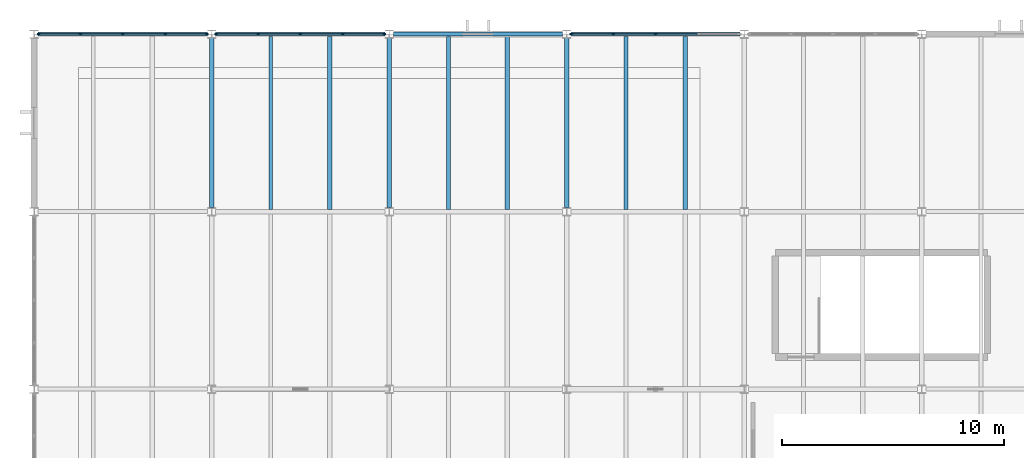
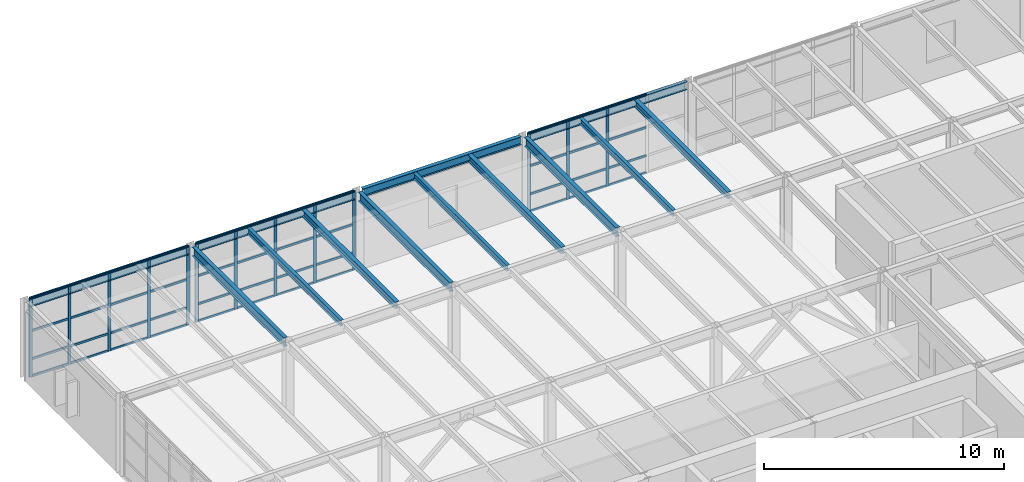
# One storey, part 14 of 34: 57 members, 13 beams, 3 elements without a shape of their own.
"""IFC4 building model written with IfcOpenShell, lengths in metres."""

from ifc_helpers import new_model, si_unit, direction, frame, origin, origin_2d, place, context, subcontext, project, spatial, rectangle, i_section, extrude, material, layer, layer_set, material_profile, profile_set, type_object, element, aggregate, save


model = new_model("IFC4")

# Units and contexts
model_context = context("Model", 3, precision=1e-05, world=origin(), true_north=direction((0.0, 1.0)))
body_context = subcontext(model_context, "Body", "Model", "MODEL_VIEW")
ifc_project = project(units=[si_unit("LENGTHUNIT", "METRE"), si_unit("AREAUNIT", "SQUARE_METRE"), si_unit("VOLUMEUNIT", "CUBIC_METRE"), si_unit("PLANEANGLEUNIT", "RADIAN"), si_unit("MASSUNIT", "GRAM", prefix="KILO")], contexts=[model_context])

# Site, building, storey
site_placement = place(None, origin())
site = spatial("IfcSite", under=ifc_project, at=site_placement, CompositionType="ELEMENT")
building_placement = place(site_placement, origin())
building = spatial("IfcBuilding", under=site, at=building_placement, Name="Varnela Railside Interchange", CompositionType="ELEMENT")
storey_placement = place(building_placement, frame((0.0, 0.0, 19.60009765625)))
storey = spatial("IfcBuildingStorey", under=building, at=storey_placement, Name="L04", CompositionType="ELEMENT", Elevation=19.60009765625)

# Beams
ifc_material_1 = material(Name="Steel AR 350 (350 MPa)", Category="steel")
ifc_material_profile_1 = material_profile(ifc_material_1, i_section(OverallWidth=0.1650390625, OverallDepth=0.31005859375, WebThickness=0.005859375, FlangeThickness=0.009765625, at=origin_2d()), Name="W310x38.7")
ifc_profile_set_1 = profile_set([ifc_material_profile_1], Name="Steel AR 350 (350 MPa)")
beam_type_1 = type_object("IfcBeamType", Name="Composite Floor Joist J-04", PredefinedType="JOIST", material=ifc_profile_set_1)
for number, where, z_axis, x_axis, name in (
    (1, (14.669921875, 86.1044921875, 3.864990234375), (0.0, 1.0, 0.0), (-1.0, 0.0, 0.0), "Composite Floor Joist J-04 (L04) (BM-2378)"),
    (2, (22.669921875, 86.1044921875, 3.864990234375), (0.0, 1.0, 0.0), (-1.0, 0.0, 0.0), "Composite Floor Joist J-04 (L04) (BM-2386)"),
    (3, (30.669921875, 86.1044921875, 3.864990234375), (0.0, 1.0, 0.0), (-1.0, 0.0, 0.0), "Composite Floor Joist J-04 (L04) (BM-2394)"),
):
    element("IfcBeam", number, at=place(storey_placement, frame(where, z_axis=z_axis, x_axis=x_axis)), inside=storey, type_object=beam_type_1, Name=name, PredefinedType="JOIST", context=body_context, shape_type="SweptSolid", body=[
        extrude(i_section(OverallWidth=0.1650390625, OverallDepth=0.31005859375, WebThickness=0.005859375, FlangeThickness=0.009765625, at=origin_2d()), origin(), (0.0, 0.0, 1.0), 7.791015625),
    ])
ifc_material_profile_2 = material_profile(ifc_material_1, i_section(OverallWidth=0.202880859375, OverallDepth=0.346923828125, WebThickness=0.0078125, FlangeThickness=0.013427734375, at=origin_2d()), Name="W360x64")
ifc_profile_set_2 = profile_set([ifc_material_profile_2], Name="Steel AR 350 (350 MPa)")
beam_type_2 = type_object("IfcBeamType", Name="Composite Heavy Joist J-01", PredefinedType="JOIST", material=ifc_profile_set_2)
for number, where, z_axis, x_axis, name in (
    (4, (17.330078125, 86.1044921875, 3.846435546875), (0.0, 1.0, 0.0), (-1.0, 0.0, 0.0), "Composite Heavy Joist J-01 (L04) (BM-2379)"),
    (5, (25.330078125, 86.1044921875, 3.846435546875), (0.0, 1.0, 0.0), (-1.0, 0.0, 0.0), "Composite Heavy Joist J-01 (L04) (BM-2387)"),
    (6, (33.330078125, 86.1044921875, 3.846435546875), (0.0, 1.0, 0.0), (-1.0, 0.0, 0.0), "Composite Heavy Joist J-01 (L04) (BM-2395)"),
):
    element("IfcBeam", number, at=place(storey_placement, frame(where, z_axis=z_axis, x_axis=x_axis)), inside=storey, type_object=beam_type_2, Name=name, PredefinedType="JOIST", context=body_context, shape_type="SweptSolid", body=[
        extrude(i_section(OverallWidth=0.202880859375, OverallDepth=0.346923828125, WebThickness=0.0078125, FlangeThickness=0.013427734375, at=origin_2d()), origin(), (0.0, 0.0, 1.0), 7.791015625),
    ])

# Curtain wall, members
ifc_material_2 = material(Name="Aluminium 6063-T6", Category="aluminium")
ifc_layer = layer(ifc_material_2, 0.035888671875)
ifc_layer_set = layer_set([ifc_layer], Name="Aluminium 6063-T6")
curtain_wall_type = type_object("IfcCurtainWallType", Name="Operations Wing Facade Curtain Wall CW-03", PredefinedType="USERDEFINED", material=ifc_layer_set)
curtain_wall_1_placement = place(storey_placement, origin())
curtain_wall_1 = element("IfcCurtainWall", 7, at=curtain_wall_1_placement, inside=storey, type_object=curtain_wall_type, Name="Curtain Wall CW-03 (L04) (CW-105)", ObjectType="CURTAIN WALL", PredefinedType="USERDEFINED")
ifc_material_profile_3 = material_profile(ifc_material_2, rectangle(XDim=0.06005859375, YDim=0.139892578125, at=origin_2d()), Name="ALU 60x140")
ifc_profile_set_3 = profile_set([ifc_material_profile_3], Name="Aluminium 6063-T6")
member_type_1 = type_object("IfcMemberType", Name="Curtain Wall Mullion ML-01", PredefinedType="MULLION", material=ifc_profile_set_3)
member_1_placement = place(storey_placement, frame((4.215087890625, 94.0, 0.0), z_axis=(0.0, 0.0, 1.0), x_axis=(0.0, 1.0, 0.0)))
member_1 = element("IfcMember", 8, at=member_1_placement, type_object=member_type_1, Name="CW-03 mullion 1", PredefinedType="MULLION", context=body_context, shape_type="SweptSolid", body=[
    extrude(rectangle(XDim=0.06005859375, YDim=0.139892578125, at=origin_2d()), origin(), (0.0, 0.0, 1.0), 4.02001953125),
])
member_2_placement = place(storey_placement, frame((6.092529296875, 94.0, 0.0), z_axis=(0.0, 0.0, 1.0), x_axis=(0.0, 1.0, 0.0)))
member_2 = element("IfcMember", 9, at=member_2_placement, type_object=member_type_1, Name="CW-03 mullion 2", PredefinedType="MULLION", context=body_context, shape_type="SweptSolid", body=[
    extrude(rectangle(XDim=0.06005859375, YDim=0.139892578125, at=origin_2d()), origin(), (0.0, 0.0, 1.0), 4.02001953125),
])
member_3_placement = place(storey_placement, frame((8.0, 94.0, 0.0), z_axis=(0.0, 0.0, 1.0), x_axis=(0.0, 1.0, 0.0)))
member_3 = element("IfcMember", 10, at=member_3_placement, type_object=member_type_1, Name="CW-03 mullion 3", PredefinedType="MULLION", context=body_context, shape_type="SweptSolid", body=[
    extrude(rectangle(XDim=0.06005859375, YDim=0.139892578125, at=origin_2d()), origin(), (0.0, 0.0, 1.0), 4.02001953125),
])
member_4_placement = place(storey_placement, frame((9.907470703125, 94.0, 0.0), z_axis=(0.0, 0.0, 1.0), x_axis=(0.0, 1.0, 0.0)))
member_4 = element("IfcMember", 11, at=member_4_placement, type_object=member_type_1, Name="CW-03 mullion 4", PredefinedType="MULLION", context=body_context, shape_type="SweptSolid", body=[
    extrude(rectangle(XDim=0.06005859375, YDim=0.139892578125, at=origin_2d()), origin(), (0.0, 0.0, 1.0), 4.02001953125),
])
member_5_placement = place(storey_placement, frame((11.784912109375, 94.0, 0.0), z_axis=(0.0, 0.0, 1.0), x_axis=(0.0, 1.0, 0.0)))
member_5 = element("IfcMember", 12, at=member_5_placement, type_object=member_type_1, Name="CW-03 mullion 5", PredefinedType="MULLION", context=body_context, shape_type="SweptSolid", body=[
    extrude(rectangle(XDim=0.06005859375, YDim=0.139892578125, at=origin_2d()), origin(), (0.0, 0.0, 1.0), 4.02001953125),
])

curtain_wall_2_placement = place(storey_placement, origin())
curtain_wall_2 = element("IfcCurtainWall", 13, at=curtain_wall_2_placement, inside=storey, type_object=curtain_wall_type, Name="Curtain Wall CW-03 (L04) (CW-106)", ObjectType="CURTAIN WALL", PredefinedType="USERDEFINED")
member_6_placement = place(storey_placement, frame((12.215087890625, 94.0, 0.0), z_axis=(0.0, 0.0, 1.0), x_axis=(0.0, 1.0, 0.0)))
member_6 = element("IfcMember", 14, at=member_6_placement, type_object=member_type_1, Name="CW-03 mullion 1", PredefinedType="MULLION", context=body_context, shape_type="SweptSolid", body=[
    extrude(rectangle(XDim=0.06005859375, YDim=0.139892578125, at=origin_2d()), origin(), (0.0, 0.0, 1.0), 4.02001953125),
])
member_7_placement = place(storey_placement, frame((14.092529296875, 94.0, 0.0), z_axis=(0.0, 0.0, 1.0), x_axis=(0.0, 1.0, 0.0)))
member_7 = element("IfcMember", 15, at=member_7_placement, type_object=member_type_1, Name="CW-03 mullion 2", PredefinedType="MULLION", context=body_context, shape_type="SweptSolid", body=[
    extrude(rectangle(XDim=0.06005859375, YDim=0.139892578125, at=origin_2d()), origin(), (0.0, 0.0, 1.0), 4.02001953125),
])
member_8_placement = place(storey_placement, frame((16.0, 94.0, 0.0), z_axis=(0.0, 0.0, 1.0), x_axis=(0.0, 1.0, 0.0)))
member_8 = element("IfcMember", 16, at=member_8_placement, type_object=member_type_1, Name="CW-03 mullion 3", PredefinedType="MULLION", context=body_context, shape_type="SweptSolid", body=[
    extrude(rectangle(XDim=0.06005859375, YDim=0.139892578125, at=origin_2d()), origin(), (0.0, 0.0, 1.0), 4.02001953125),
])
member_9_placement = place(storey_placement, frame((17.907470703125, 94.0, 0.0), z_axis=(0.0, 0.0, 1.0), x_axis=(0.0, 1.0, 0.0)))
member_9 = element("IfcMember", 17, at=member_9_placement, type_object=member_type_1, Name="CW-03 mullion 4", PredefinedType="MULLION", context=body_context, shape_type="SweptSolid", body=[
    extrude(rectangle(XDim=0.06005859375, YDim=0.139892578125, at=origin_2d()), origin(), (0.0, 0.0, 1.0), 4.02001953125),
])
member_10_placement = place(storey_placement, frame((19.784912109375, 94.0, 0.0), z_axis=(0.0, 0.0, 1.0), x_axis=(0.0, 1.0, 0.0)))
member_10 = element("IfcMember", 18, at=member_10_placement, type_object=member_type_1, Name="CW-03 mullion 5", PredefinedType="MULLION", context=body_context, shape_type="SweptSolid", body=[
    extrude(rectangle(XDim=0.06005859375, YDim=0.139892578125, at=origin_2d()), origin(), (0.0, 0.0, 1.0), 4.02001953125),
])

curtain_wall_3_placement = place(storey_placement, origin())
curtain_wall_3 = element("IfcCurtainWall", 19, at=curtain_wall_3_placement, inside=storey, type_object=curtain_wall_type, Name="Curtain Wall CW-03 (L04) (CW-107)", ObjectType="CURTAIN WALL", PredefinedType="USERDEFINED")
member_11_placement = place(storey_placement, frame((28.215087890625, 94.0, 0.0), z_axis=(0.0, 0.0, 1.0), x_axis=(0.0, 1.0, 0.0)))
member_11 = element("IfcMember", 20, at=member_11_placement, type_object=member_type_1, Name="CW-03 mullion 1", PredefinedType="MULLION", context=body_context, shape_type="SweptSolid", body=[
    extrude(rectangle(XDim=0.06005859375, YDim=0.139892578125, at=origin_2d()), origin(), (0.0, 0.0, 1.0), 4.02001953125),
])
member_12_placement = place(storey_placement, frame((30.092529296875, 94.0, 0.0), z_axis=(0.0, 0.0, 1.0), x_axis=(0.0, 1.0, 0.0)))
member_12 = element("IfcMember", 21, at=member_12_placement, type_object=member_type_1, Name="CW-03 mullion 2", PredefinedType="MULLION", context=body_context, shape_type="SweptSolid", body=[
    extrude(rectangle(XDim=0.06005859375, YDim=0.139892578125, at=origin_2d()), origin(), (0.0, 0.0, 1.0), 4.02001953125),
])
member_13_placement = place(storey_placement, frame((32.0, 94.0, 0.0), z_axis=(0.0, 0.0, 1.0), x_axis=(0.0, 1.0, 0.0)))
member_13 = element("IfcMember", 22, at=member_13_placement, type_object=member_type_1, Name="CW-03 mullion 3", PredefinedType="MULLION", context=body_context, shape_type="SweptSolid", body=[
    extrude(rectangle(XDim=0.06005859375, YDim=0.139892578125, at=origin_2d()), origin(), (0.0, 0.0, 1.0), 4.02001953125),
])

# Member
ifc_material_profile_4 = material_profile(ifc_material_2, rectangle(XDim=0.06005859375, YDim=0.110107421875, at=origin_2d()), Name="ALU 60x110")
ifc_profile_set_4 = profile_set([ifc_material_profile_4], Name="Aluminium 6063-T6")
member_type_2 = type_object("IfcMemberType", Name="Curtain Wall Transom TR-01", PredefinedType="USERDEFINED", material=ifc_profile_set_4)
member_14_placement = place(storey_placement, frame((4.2451171875, 94.0, 0.02978515625), z_axis=(1.0, 0.0, 0.0), x_axis=(0.0, 1.0, 0.0)))
member_14 = element("IfcMember", 23, at=member_14_placement, type_object=member_type_2, Name="CW-03 transom 1.1", ObjectType="TRANSOM", PredefinedType="USERDEFINED", context=body_context, shape_type="SweptSolid", body=[
    extrude(rectangle(XDim=0.06005859375, YDim=0.110107421875, at=origin_2d()), origin(), (0.0, 0.0, 1.0), 1.8173828125),
])

member_15_placement = place(storey_placement, frame((4.2451171875, 94.0, 0.89990234375), z_axis=(1.0, 0.0, 0.0), x_axis=(0.0, 1.0, 0.0)))
member_15 = element("IfcMember", 24, at=member_15_placement, type_object=member_type_2, Name="CW-03 transom 1.2", ObjectType="TRANSOM", PredefinedType="USERDEFINED", context=body_context, shape_type="SweptSolid", body=[
    extrude(rectangle(XDim=0.06005859375, YDim=0.110107421875, at=origin_2d()), origin(), (0.0, 0.0, 1.0), 1.8173828125),
])

member_16_placement = place(storey_placement, frame((4.2451171875, 94.0, 2.33154296875), z_axis=(1.0, 0.0, 0.0), x_axis=(0.0, 1.0, 0.0)))
member_16 = element("IfcMember", 25, at=member_16_placement, type_object=member_type_2, Name="CW-03 transom 1.3", ObjectType="TRANSOM", PredefinedType="USERDEFINED", context=body_context, shape_type="SweptSolid", body=[
    extrude(rectangle(XDim=0.06005859375, YDim=0.110107421875, at=origin_2d()), origin(), (0.0, 0.0, 1.0), 1.8173828125),
])

member_17_placement = place(storey_placement, frame((4.2451171875, 94.0, 3.989990234375), z_axis=(1.0, 0.0, 0.0), x_axis=(0.0, 1.0, 0.0)))
member_17 = element("IfcMember", 26, at=member_17_placement, type_object=member_type_2, Name="CW-03 transom 1.4", ObjectType="TRANSOM", PredefinedType="USERDEFINED", context=body_context, shape_type="SweptSolid", body=[
    extrude(rectangle(XDim=0.06005859375, YDim=0.110107421875, at=origin_2d()), origin(), (0.0, 0.0, 1.0), 1.8173828125),
])

member_18_placement = place(storey_placement, frame((6.12255859375, 94.0, 0.02978515625), z_axis=(1.0, 0.0, 0.0), x_axis=(0.0, 1.0, 0.0)))
member_18 = element("IfcMember", 27, at=member_18_placement, type_object=member_type_2, Name="CW-03 transom 2.1", ObjectType="TRANSOM", PredefinedType="USERDEFINED", context=body_context, shape_type="SweptSolid", body=[
    extrude(rectangle(XDim=0.06005859375, YDim=0.110107421875, at=origin_2d()), origin(), (0.0, 0.0, 1.0), 1.847412109375),
])

member_19_placement = place(storey_placement, frame((6.12255859375, 94.0, 0.89990234375), z_axis=(1.0, 0.0, 0.0), x_axis=(0.0, 1.0, 0.0)))
member_19 = element("IfcMember", 28, at=member_19_placement, type_object=member_type_2, Name="CW-03 transom 2.2", ObjectType="TRANSOM", PredefinedType="USERDEFINED", context=body_context, shape_type="SweptSolid", body=[
    extrude(rectangle(XDim=0.06005859375, YDim=0.110107421875, at=origin_2d()), origin(), (0.0, 0.0, 1.0), 1.847412109375),
])

member_20_placement = place(storey_placement, frame((6.12255859375, 94.0, 2.33154296875), z_axis=(1.0, 0.0, 0.0), x_axis=(0.0, 1.0, 0.0)))
member_20 = element("IfcMember", 29, at=member_20_placement, type_object=member_type_2, Name="CW-03 transom 2.3", ObjectType="TRANSOM", PredefinedType="USERDEFINED", context=body_context, shape_type="SweptSolid", body=[
    extrude(rectangle(XDim=0.06005859375, YDim=0.110107421875, at=origin_2d()), origin(), (0.0, 0.0, 1.0), 1.847412109375),
])

member_21_placement = place(storey_placement, frame((6.12255859375, 94.0, 3.989990234375), z_axis=(1.0, 0.0, 0.0), x_axis=(0.0, 1.0, 0.0)))
member_21 = element("IfcMember", 30, at=member_21_placement, type_object=member_type_2, Name="CW-03 transom 2.4", ObjectType="TRANSOM", PredefinedType="USERDEFINED", context=body_context, shape_type="SweptSolid", body=[
    extrude(rectangle(XDim=0.06005859375, YDim=0.110107421875, at=origin_2d()), origin(), (0.0, 0.0, 1.0), 1.847412109375),
])

member_22_placement = place(storey_placement, frame((8.030029296875, 94.0, 0.02978515625), z_axis=(1.0, 0.0, 0.0), x_axis=(0.0, 1.0, 0.0)))
member_22 = element("IfcMember", 31, at=member_22_placement, type_object=member_type_2, Name="CW-03 transom 3.1", ObjectType="TRANSOM", PredefinedType="USERDEFINED", context=body_context, shape_type="SweptSolid", body=[
    extrude(rectangle(XDim=0.06005859375, YDim=0.110107421875, at=origin_2d()), origin(), (0.0, 0.0, 1.0), 1.847412109375),
])

member_23_placement = place(storey_placement, frame((8.030029296875, 94.0, 0.89990234375), z_axis=(1.0, 0.0, 0.0), x_axis=(0.0, 1.0, 0.0)))
member_23 = element("IfcMember", 32, at=member_23_placement, type_object=member_type_2, Name="CW-03 transom 3.2", ObjectType="TRANSOM", PredefinedType="USERDEFINED", context=body_context, shape_type="SweptSolid", body=[
    extrude(rectangle(XDim=0.06005859375, YDim=0.110107421875, at=origin_2d()), origin(), (0.0, 0.0, 1.0), 1.847412109375),
])

member_24_placement = place(storey_placement, frame((8.030029296875, 94.0, 2.33154296875), z_axis=(1.0, 0.0, 0.0), x_axis=(0.0, 1.0, 0.0)))
member_24 = element("IfcMember", 33, at=member_24_placement, type_object=member_type_2, Name="CW-03 transom 3.3", ObjectType="TRANSOM", PredefinedType="USERDEFINED", context=body_context, shape_type="SweptSolid", body=[
    extrude(rectangle(XDim=0.06005859375, YDim=0.110107421875, at=origin_2d()), origin(), (0.0, 0.0, 1.0), 1.847412109375),
])

member_25_placement = place(storey_placement, frame((8.030029296875, 94.0, 3.989990234375), z_axis=(1.0, 0.0, 0.0), x_axis=(0.0, 1.0, 0.0)))
member_25 = element("IfcMember", 34, at=member_25_placement, type_object=member_type_2, Name="CW-03 transom 3.4", ObjectType="TRANSOM", PredefinedType="USERDEFINED", context=body_context, shape_type="SweptSolid", body=[
    extrude(rectangle(XDim=0.06005859375, YDim=0.110107421875, at=origin_2d()), origin(), (0.0, 0.0, 1.0), 1.847412109375),
])

member_26_placement = place(storey_placement, frame((9.9375, 94.0, 0.02978515625), z_axis=(1.0, 0.0, 0.0), x_axis=(0.0, 1.0, 0.0)))
member_26 = element("IfcMember", 35, at=member_26_placement, type_object=member_type_2, Name="CW-03 transom 4.1", ObjectType="TRANSOM", PredefinedType="USERDEFINED", context=body_context, shape_type="SweptSolid", body=[
    extrude(rectangle(XDim=0.06005859375, YDim=0.110107421875, at=origin_2d()), origin(), (0.0, 0.0, 1.0), 1.8173828125),
])

member_27_placement = place(storey_placement, frame((9.9375, 94.0, 0.89990234375), z_axis=(1.0, 0.0, 0.0), x_axis=(0.0, 1.0, 0.0)))
member_27 = element("IfcMember", 36, at=member_27_placement, type_object=member_type_2, Name="CW-03 transom 4.2", ObjectType="TRANSOM", PredefinedType="USERDEFINED", context=body_context, shape_type="SweptSolid", body=[
    extrude(rectangle(XDim=0.06005859375, YDim=0.110107421875, at=origin_2d()), origin(), (0.0, 0.0, 1.0), 1.8173828125),
])

member_28_placement = place(storey_placement, frame((9.9375, 94.0, 2.33154296875), z_axis=(1.0, 0.0, 0.0), x_axis=(0.0, 1.0, 0.0)))
member_28 = element("IfcMember", 37, at=member_28_placement, type_object=member_type_2, Name="CW-03 transom 4.3", ObjectType="TRANSOM", PredefinedType="USERDEFINED", context=body_context, shape_type="SweptSolid", body=[
    extrude(rectangle(XDim=0.06005859375, YDim=0.110107421875, at=origin_2d()), origin(), (0.0, 0.0, 1.0), 1.8173828125),
])

member_29_placement = place(storey_placement, frame((9.9375, 94.0, 3.989990234375), z_axis=(1.0, 0.0, 0.0), x_axis=(0.0, 1.0, 0.0)))
member_29 = element("IfcMember", 38, at=member_29_placement, type_object=member_type_2, Name="CW-03 transom 4.4", ObjectType="TRANSOM", PredefinedType="USERDEFINED", context=body_context, shape_type="SweptSolid", body=[
    extrude(rectangle(XDim=0.06005859375, YDim=0.110107421875, at=origin_2d()), origin(), (0.0, 0.0, 1.0), 1.8173828125),
])

aggregate(curtain_wall_1, [member_1, member_2, member_3, member_4, member_5, member_14, member_15, member_16, member_17, member_18, member_19, member_20, member_21, member_22, member_23, member_24, member_25, member_26, member_27, member_28, member_29])

member_30_placement = place(storey_placement, frame((12.2451171875, 94.0, 0.02978515625), z_axis=(1.0, 0.0, 0.0), x_axis=(0.0, 1.0, 0.0)))
member_30 = element("IfcMember", 39, at=member_30_placement, type_object=member_type_2, Name="CW-03 transom 1.1", ObjectType="TRANSOM", PredefinedType="USERDEFINED", context=body_context, shape_type="SweptSolid", body=[
    extrude(rectangle(XDim=0.06005859375, YDim=0.110107421875, at=origin_2d()), origin(), (0.0, 0.0, 1.0), 1.8173828125),
])

member_31_placement = place(storey_placement, frame((12.2451171875, 94.0, 0.89990234375), z_axis=(1.0, 0.0, 0.0), x_axis=(0.0, 1.0, 0.0)))
member_31 = element("IfcMember", 40, at=member_31_placement, type_object=member_type_2, Name="CW-03 transom 1.2", ObjectType="TRANSOM", PredefinedType="USERDEFINED", context=body_context, shape_type="SweptSolid", body=[
    extrude(rectangle(XDim=0.06005859375, YDim=0.110107421875, at=origin_2d()), origin(), (0.0, 0.0, 1.0), 1.8173828125),
])

member_32_placement = place(storey_placement, frame((12.2451171875, 94.0, 2.33154296875), z_axis=(1.0, 0.0, 0.0), x_axis=(0.0, 1.0, 0.0)))
member_32 = element("IfcMember", 41, at=member_32_placement, type_object=member_type_2, Name="CW-03 transom 1.3", ObjectType="TRANSOM", PredefinedType="USERDEFINED", context=body_context, shape_type="SweptSolid", body=[
    extrude(rectangle(XDim=0.06005859375, YDim=0.110107421875, at=origin_2d()), origin(), (0.0, 0.0, 1.0), 1.8173828125),
])

member_33_placement = place(storey_placement, frame((12.2451171875, 94.0, 3.989990234375), z_axis=(1.0, 0.0, 0.0), x_axis=(0.0, 1.0, 0.0)))
member_33 = element("IfcMember", 42, at=member_33_placement, type_object=member_type_2, Name="CW-03 transom 1.4", ObjectType="TRANSOM", PredefinedType="USERDEFINED", context=body_context, shape_type="SweptSolid", body=[
    extrude(rectangle(XDim=0.06005859375, YDim=0.110107421875, at=origin_2d()), origin(), (0.0, 0.0, 1.0), 1.8173828125),
])

member_34_placement = place(storey_placement, frame((14.12255859375, 94.0, 0.02978515625), z_axis=(1.0, 0.0, 0.0), x_axis=(0.0, 1.0, 0.0)))
member_34 = element("IfcMember", 43, at=member_34_placement, type_object=member_type_2, Name="CW-03 transom 2.1", ObjectType="TRANSOM", PredefinedType="USERDEFINED", context=body_context, shape_type="SweptSolid", body=[
    extrude(rectangle(XDim=0.06005859375, YDim=0.110107421875, at=origin_2d()), origin(), (0.0, 0.0, 1.0), 1.847412109375),
])

member_35_placement = place(storey_placement, frame((14.12255859375, 94.0, 0.89990234375), z_axis=(1.0, 0.0, 0.0), x_axis=(0.0, 1.0, 0.0)))
member_35 = element("IfcMember", 44, at=member_35_placement, type_object=member_type_2, Name="CW-03 transom 2.2", ObjectType="TRANSOM", PredefinedType="USERDEFINED", context=body_context, shape_type="SweptSolid", body=[
    extrude(rectangle(XDim=0.06005859375, YDim=0.110107421875, at=origin_2d()), origin(), (0.0, 0.0, 1.0), 1.847412109375),
])

member_36_placement = place(storey_placement, frame((14.12255859375, 94.0, 2.33154296875), z_axis=(1.0, 0.0, 0.0), x_axis=(0.0, 1.0, 0.0)))
member_36 = element("IfcMember", 45, at=member_36_placement, type_object=member_type_2, Name="CW-03 transom 2.3", ObjectType="TRANSOM", PredefinedType="USERDEFINED", context=body_context, shape_type="SweptSolid", body=[
    extrude(rectangle(XDim=0.06005859375, YDim=0.110107421875, at=origin_2d()), origin(), (0.0, 0.0, 1.0), 1.847412109375),
])

member_37_placement = place(storey_placement, frame((14.12255859375, 94.0, 3.989990234375), z_axis=(1.0, 0.0, 0.0), x_axis=(0.0, 1.0, 0.0)))
member_37 = element("IfcMember", 46, at=member_37_placement, type_object=member_type_2, Name="CW-03 transom 2.4", ObjectType="TRANSOM", PredefinedType="USERDEFINED", context=body_context, shape_type="SweptSolid", body=[
    extrude(rectangle(XDim=0.06005859375, YDim=0.110107421875, at=origin_2d()), origin(), (0.0, 0.0, 1.0), 1.847412109375),
])

member_38_placement = place(storey_placement, frame((16.030029296875, 94.0, 0.02978515625), z_axis=(1.0, 0.0, 0.0), x_axis=(0.0, 1.0, 0.0)))
member_38 = element("IfcMember", 47, at=member_38_placement, type_object=member_type_2, Name="CW-03 transom 3.1", ObjectType="TRANSOM", PredefinedType="USERDEFINED", context=body_context, shape_type="SweptSolid", body=[
    extrude(rectangle(XDim=0.06005859375, YDim=0.110107421875, at=origin_2d()), origin(), (0.0, 0.0, 1.0), 1.847412109375),
])

member_39_placement = place(storey_placement, frame((16.030029296875, 94.0, 0.89990234375), z_axis=(1.0, 0.0, 0.0), x_axis=(0.0, 1.0, 0.0)))
member_39 = element("IfcMember", 48, at=member_39_placement, type_object=member_type_2, Name="CW-03 transom 3.2", ObjectType="TRANSOM", PredefinedType="USERDEFINED", context=body_context, shape_type="SweptSolid", body=[
    extrude(rectangle(XDim=0.06005859375, YDim=0.110107421875, at=origin_2d()), origin(), (0.0, 0.0, 1.0), 1.847412109375),
])

member_40_placement = place(storey_placement, frame((16.030029296875, 94.0, 2.33154296875), z_axis=(1.0, 0.0, 0.0), x_axis=(0.0, 1.0, 0.0)))
member_40 = element("IfcMember", 49, at=member_40_placement, type_object=member_type_2, Name="CW-03 transom 3.3", ObjectType="TRANSOM", PredefinedType="USERDEFINED", context=body_context, shape_type="SweptSolid", body=[
    extrude(rectangle(XDim=0.06005859375, YDim=0.110107421875, at=origin_2d()), origin(), (0.0, 0.0, 1.0), 1.847412109375),
])

member_41_placement = place(storey_placement, frame((16.030029296875, 94.0, 3.989990234375), z_axis=(1.0, 0.0, 0.0), x_axis=(0.0, 1.0, 0.0)))
member_41 = element("IfcMember", 50, at=member_41_placement, type_object=member_type_2, Name="CW-03 transom 3.4", ObjectType="TRANSOM", PredefinedType="USERDEFINED", context=body_context, shape_type="SweptSolid", body=[
    extrude(rectangle(XDim=0.06005859375, YDim=0.110107421875, at=origin_2d()), origin(), (0.0, 0.0, 1.0), 1.847412109375),
])

member_42_placement = place(storey_placement, frame((17.9375, 94.0, 0.02978515625), z_axis=(1.0, 0.0, 0.0), x_axis=(0.0, 1.0, 0.0)))
member_42 = element("IfcMember", 51, at=member_42_placement, type_object=member_type_2, Name="CW-03 transom 4.1", ObjectType="TRANSOM", PredefinedType="USERDEFINED", context=body_context, shape_type="SweptSolid", body=[
    extrude(rectangle(XDim=0.06005859375, YDim=0.110107421875, at=origin_2d()), origin(), (0.0, 0.0, 1.0), 1.8173828125),
])

member_43_placement = place(storey_placement, frame((17.9375, 94.0, 0.89990234375), z_axis=(1.0, 0.0, 0.0), x_axis=(0.0, 1.0, 0.0)))
member_43 = element("IfcMember", 52, at=member_43_placement, type_object=member_type_2, Name="CW-03 transom 4.2", ObjectType="TRANSOM", PredefinedType="USERDEFINED", context=body_context, shape_type="SweptSolid", body=[
    extrude(rectangle(XDim=0.06005859375, YDim=0.110107421875, at=origin_2d()), origin(), (0.0, 0.0, 1.0), 1.8173828125),
])

member_44_placement = place(storey_placement, frame((17.9375, 94.0, 2.33154296875), z_axis=(1.0, 0.0, 0.0), x_axis=(0.0, 1.0, 0.0)))
member_44 = element("IfcMember", 53, at=member_44_placement, type_object=member_type_2, Name="CW-03 transom 4.3", ObjectType="TRANSOM", PredefinedType="USERDEFINED", context=body_context, shape_type="SweptSolid", body=[
    extrude(rectangle(XDim=0.06005859375, YDim=0.110107421875, at=origin_2d()), origin(), (0.0, 0.0, 1.0), 1.8173828125),
])

member_45_placement = place(storey_placement, frame((17.9375, 94.0, 3.989990234375), z_axis=(1.0, 0.0, 0.0), x_axis=(0.0, 1.0, 0.0)))
member_45 = element("IfcMember", 54, at=member_45_placement, type_object=member_type_2, Name="CW-03 transom 4.4", ObjectType="TRANSOM", PredefinedType="USERDEFINED", context=body_context, shape_type="SweptSolid", body=[
    extrude(rectangle(XDim=0.06005859375, YDim=0.110107421875, at=origin_2d()), origin(), (0.0, 0.0, 1.0), 1.8173828125),
])

aggregate(curtain_wall_2, [member_6, member_7, member_8, member_9, member_10, member_30, member_31, member_32, member_33, member_34, member_35, member_36, member_37, member_38, member_39, member_40, member_41, member_42, member_43, member_44, member_45])

member_46_placement = place(storey_placement, frame((28.2451171875, 94.0, 0.02978515625), z_axis=(1.0, 0.0, 0.0), x_axis=(0.0, 1.0, 0.0)))
member_46 = element("IfcMember", 55, at=member_46_placement, type_object=member_type_2, Name="CW-03 transom 1.1", ObjectType="TRANSOM", PredefinedType="USERDEFINED", context=body_context, shape_type="SweptSolid", body=[
    extrude(rectangle(XDim=0.06005859375, YDim=0.110107421875, at=origin_2d()), origin(), (0.0, 0.0, 1.0), 1.8173828125),
])

member_47_placement = place(storey_placement, frame((28.2451171875, 94.0, 0.89990234375), z_axis=(1.0, 0.0, 0.0), x_axis=(0.0, 1.0, 0.0)))
member_47 = element("IfcMember", 56, at=member_47_placement, type_object=member_type_2, Name="CW-03 transom 1.2", ObjectType="TRANSOM", PredefinedType="USERDEFINED", context=body_context, shape_type="SweptSolid", body=[
    extrude(rectangle(XDim=0.06005859375, YDim=0.110107421875, at=origin_2d()), origin(), (0.0, 0.0, 1.0), 1.8173828125),
])

member_48_placement = place(storey_placement, frame((28.2451171875, 94.0, 2.33154296875), z_axis=(1.0, 0.0, 0.0), x_axis=(0.0, 1.0, 0.0)))
member_48 = element("IfcMember", 57, at=member_48_placement, type_object=member_type_2, Name="CW-03 transom 1.3", ObjectType="TRANSOM", PredefinedType="USERDEFINED", context=body_context, shape_type="SweptSolid", body=[
    extrude(rectangle(XDim=0.06005859375, YDim=0.110107421875, at=origin_2d()), origin(), (0.0, 0.0, 1.0), 1.8173828125),
])

member_49_placement = place(storey_placement, frame((28.2451171875, 94.0, 3.989990234375), z_axis=(1.0, 0.0, 0.0), x_axis=(0.0, 1.0, 0.0)))
member_49 = element("IfcMember", 58, at=member_49_placement, type_object=member_type_2, Name="CW-03 transom 1.4", ObjectType="TRANSOM", PredefinedType="USERDEFINED", context=body_context, shape_type="SweptSolid", body=[
    extrude(rectangle(XDim=0.06005859375, YDim=0.110107421875, at=origin_2d()), origin(), (0.0, 0.0, 1.0), 1.8173828125),
])

member_50_placement = place(storey_placement, frame((30.12255859375, 94.0, 0.02978515625), z_axis=(1.0, 0.0, 0.0), x_axis=(0.0, 1.0, 0.0)))
member_50 = element("IfcMember", 59, at=member_50_placement, type_object=member_type_2, Name="CW-03 transom 2.1", ObjectType="TRANSOM", PredefinedType="USERDEFINED", context=body_context, shape_type="SweptSolid", body=[
    extrude(rectangle(XDim=0.06005859375, YDim=0.110107421875, at=origin_2d()), origin(), (0.0, 0.0, 1.0), 1.847412109375),
])

member_51_placement = place(storey_placement, frame((30.12255859375, 94.0, 0.89990234375), z_axis=(1.0, 0.0, 0.0), x_axis=(0.0, 1.0, 0.0)))
member_51 = element("IfcMember", 60, at=member_51_placement, type_object=member_type_2, Name="CW-03 transom 2.2", ObjectType="TRANSOM", PredefinedType="USERDEFINED", context=body_context, shape_type="SweptSolid", body=[
    extrude(rectangle(XDim=0.06005859375, YDim=0.110107421875, at=origin_2d()), origin(), (0.0, 0.0, 1.0), 1.847412109375),
])

member_52_placement = place(storey_placement, frame((30.12255859375, 94.0, 2.33154296875), z_axis=(1.0, 0.0, 0.0), x_axis=(0.0, 1.0, 0.0)))
member_52 = element("IfcMember", 61, at=member_52_placement, type_object=member_type_2, Name="CW-03 transom 2.3", ObjectType="TRANSOM", PredefinedType="USERDEFINED", context=body_context, shape_type="SweptSolid", body=[
    extrude(rectangle(XDim=0.06005859375, YDim=0.110107421875, at=origin_2d()), origin(), (0.0, 0.0, 1.0), 1.847412109375),
])

member_53_placement = place(storey_placement, frame((30.12255859375, 94.0, 3.989990234375), z_axis=(1.0, 0.0, 0.0), x_axis=(0.0, 1.0, 0.0)))
member_53 = element("IfcMember", 62, at=member_53_placement, type_object=member_type_2, Name="CW-03 transom 2.4", ObjectType="TRANSOM", PredefinedType="USERDEFINED", context=body_context, shape_type="SweptSolid", body=[
    extrude(rectangle(XDim=0.06005859375, YDim=0.110107421875, at=origin_2d()), origin(), (0.0, 0.0, 1.0), 1.847412109375),
])

member_54_placement = place(storey_placement, frame((32.030029296875, 94.0, 0.02978515625), z_axis=(1.0, 0.0, 0.0), x_axis=(0.0, 1.0, 0.0)))
member_54 = element("IfcMember", 63, at=member_54_placement, type_object=member_type_2, Name="CW-03 transom 3.1", ObjectType="TRANSOM", PredefinedType="USERDEFINED", context=body_context, shape_type="SweptSolid", body=[
    extrude(rectangle(XDim=0.06005859375, YDim=0.110107421875, at=origin_2d()), origin(), (0.0, 0.0, 1.0), 1.847412109375),
])

member_55_placement = place(storey_placement, frame((32.030029296875, 94.0, 0.89990234375), z_axis=(1.0, 0.0, 0.0), x_axis=(0.0, 1.0, 0.0)))
member_55 = element("IfcMember", 64, at=member_55_placement, type_object=member_type_2, Name="CW-03 transom 3.2", ObjectType="TRANSOM", PredefinedType="USERDEFINED", context=body_context, shape_type="SweptSolid", body=[
    extrude(rectangle(XDim=0.06005859375, YDim=0.110107421875, at=origin_2d()), origin(), (0.0, 0.0, 1.0), 1.847412109375),
])

member_56_placement = place(storey_placement, frame((32.030029296875, 94.0, 2.33154296875), z_axis=(1.0, 0.0, 0.0), x_axis=(0.0, 1.0, 0.0)))
member_56 = element("IfcMember", 65, at=member_56_placement, type_object=member_type_2, Name="CW-03 transom 3.3", ObjectType="TRANSOM", PredefinedType="USERDEFINED", context=body_context, shape_type="SweptSolid", body=[
    extrude(rectangle(XDim=0.06005859375, YDim=0.110107421875, at=origin_2d()), origin(), (0.0, 0.0, 1.0), 1.847412109375),
])

member_57_placement = place(storey_placement, frame((32.030029296875, 94.0, 3.989990234375), z_axis=(1.0, 0.0, 0.0), x_axis=(0.0, 1.0, 0.0)))
member_57 = element("IfcMember", 66, at=member_57_placement, type_object=member_type_2, Name="CW-03 transom 3.4", ObjectType="TRANSOM", PredefinedType="USERDEFINED", context=body_context, shape_type="SweptSolid", body=[
    extrude(rectangle(XDim=0.06005859375, YDim=0.110107421875, at=origin_2d()), origin(), (0.0, 0.0, 1.0), 1.847412109375),
])

aggregate(curtain_wall_3, [member_11, member_12, member_13, member_46, member_47, member_48, member_49, member_50, member_51, member_52, member_53, member_54, member_55, member_56, member_57])

# Beams
ifc_material_profile_5 = material_profile(ifc_material_1, i_section(OverallWidth=0.19091796875, OverallDepth=0.4599609375, WebThickness=0.010009765625, FlangeThickness=0.01611328125, at=origin_2d()), Name="W460x82")
ifc_profile_set_5 = profile_set([ifc_material_profile_5], Name="Steel AR 350 (350 MPa)")
beam_type_3 = type_object("IfcBeamType", Name="Steel Perimeter Spandrel SP-01", PredefinedType="SPANDREL", material=ifc_profile_set_5)
for number, where, z_axis, x_axis, name in (
    (67, (12.0, 86.179931640625, 3.789794921875), (0.0, 1.0, 0.0), (-1.0, 0.0, 0.0), "Steel Perimeter Spandrel SP-01 (L04) (BM-2506)"),
    (68, (20.0, 86.179931640625, 3.789794921875), (0.0, 1.0, 0.0), (-1.0, 0.0, 0.0), "Steel Perimeter Spandrel SP-01 (L04) (BM-2510)"),
    (69, (28.0, 86.179931640625, 3.789794921875), (0.0, 1.0, 0.0), (-1.0, 0.0, 0.0), "Steel Perimeter Spandrel SP-01 (L04) (BM-2514)"),
):
    element("IfcBeam", number, at=place(storey_placement, frame(where, z_axis=z_axis, x_axis=x_axis)), inside=storey, type_object=beam_type_3, Name=name, PredefinedType="SPANDREL", context=body_context, shape_type="SweptSolid", body=[
        extrude(i_section(OverallWidth=0.19091796875, OverallDepth=0.4599609375, WebThickness=0.010009765625, FlangeThickness=0.01611328125, at=origin_2d()), origin(), (0.0, 0.0, 1.0), 7.64013671875),
    ])
ifc_material_profile_6 = material_profile(ifc_material_1, i_section(OverallWidth=0.178955078125, OverallDepth=0.409912109375, WebThickness=0.0087890625, FlangeThickness=0.014404296875, at=origin_2d()), Name="W410x67")
ifc_profile_set_6 = profile_set([ifc_material_profile_6], Name="Steel AR 350 (350 MPa)")
beam_type_4 = type_object("IfcBeamType", Name="Steel Terrace Spandrel SP-02", PredefinedType="SPANDREL", material=ifc_profile_set_6)
for number, where, z_axis, x_axis, name in (
    (70, (4.18505859375, 94.0, 3.81494140625), (1.0, 0.0, 0.0), (0.0, 1.0, 0.0), "Steel Terrace Spandrel SP-02 (L04) (BM-2476)"),
    (71, (12.18505859375, 94.0, 3.81494140625), (1.0, 0.0, 0.0), (0.0, 1.0, 0.0), "Steel Terrace Spandrel SP-02 (L04) (BM-2470)"),
    (72, (20.18505859375, 94.0, 3.81494140625), (1.0, 0.0, 0.0), (0.0, 1.0, 0.0), "Steel Terrace Spandrel SP-02 (L04) (BM-2472)"),
    (73, (28.18505859375, 94.0, 3.81494140625), (1.0, 0.0, 0.0), (0.0, 1.0, 0.0), "Steel Terrace Spandrel SP-02 (L04) (BM-2473)"),
):
    element("IfcBeam", number, at=place(storey_placement, frame(where, z_axis=z_axis, x_axis=x_axis)), inside=storey, type_object=beam_type_4, Name=name, PredefinedType="SPANDREL", context=body_context, shape_type="SweptSolid", body=[
        extrude(i_section(OverallWidth=0.178955078125, OverallDepth=0.409912109375, WebThickness=0.0087890625, FlangeThickness=0.014404296875, at=origin_2d()), origin(), (0.0, 0.0, 1.0), 7.6298828125),
    ])

save(model, "model.ifc")
